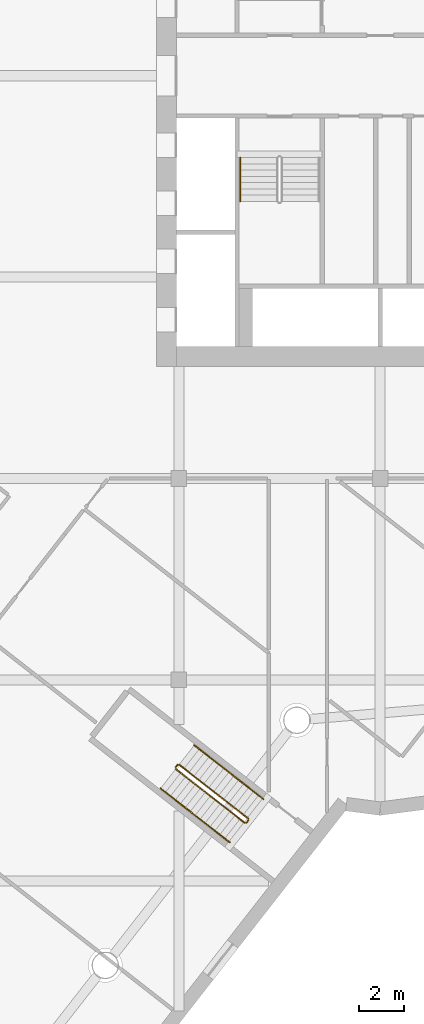
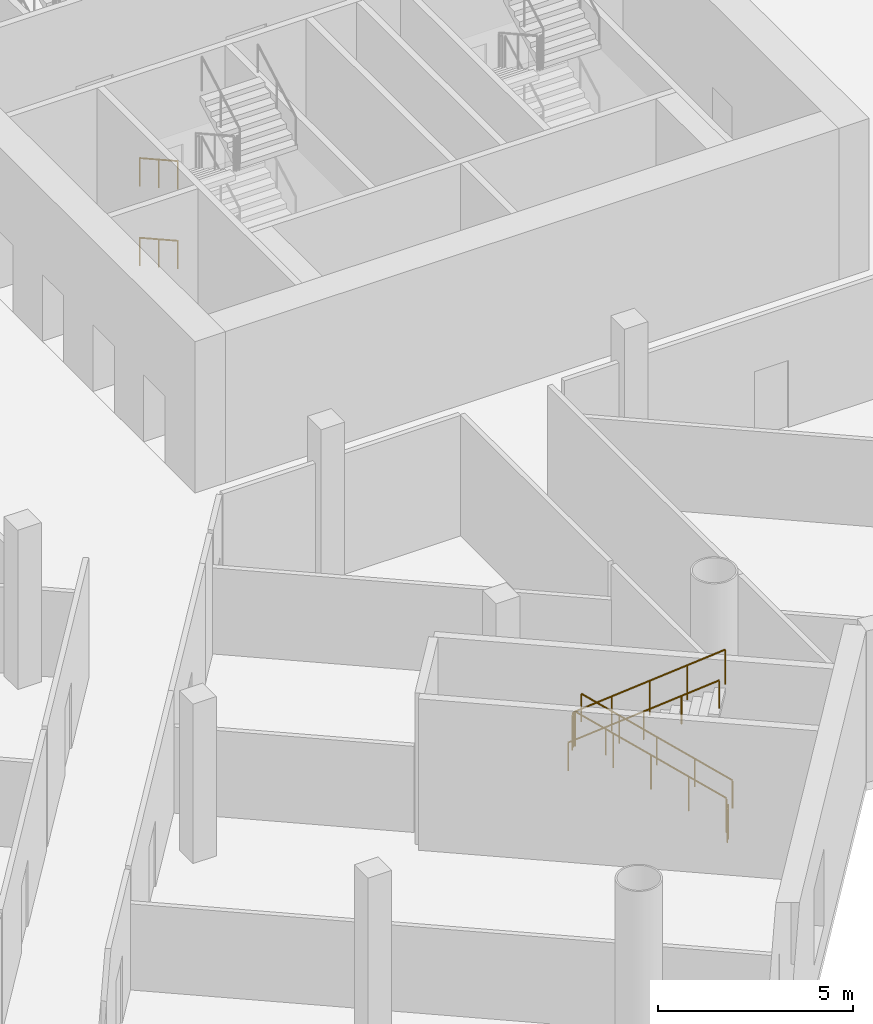
# One storey, part 19 of 22: 10 railings.
"""IFC4 building model written with IfcOpenShell, lengths in metres."""

from ifc_helpers import new_model, si_unit, direction, frame, origin, origin_2d, place, context, subcontext, project, spatial, circle, extrude, material, type_object, element, save


model = new_model("IFC4")

# Units and contexts
model_context = context("Model", 3, precision=1e-05, world=origin(), true_north=direction((0.0, 1.0)))
body_context = subcontext(model_context, "Body", "Model", "MODEL_VIEW")
ifc_project = project(units=[si_unit("LENGTHUNIT", "METRE"), si_unit("AREAUNIT", "SQUARE_METRE"), si_unit("VOLUMEUNIT", "CUBIC_METRE"), si_unit("PLANEANGLEUNIT", "RADIAN"), si_unit("MASSUNIT", "GRAM", prefix="KILO")], contexts=[model_context])

# Site, building, storey
site_placement = place(None, origin())
site = spatial("IfcSite", under=ifc_project, at=site_placement, CompositionType="ELEMENT")
building_placement = place(site_placement, origin())
building = spatial("IfcBuilding", under=site, at=building_placement, Name="Tarsis Ring Headquarters", CompositionType="ELEMENT")
storey_placement = place(building_placement, frame((0.0, 0.0, 25.0)))
storey = spatial("IfcBuildingStorey", under=building, at=storey_placement, Name="L04", CompositionType="ELEMENT", Elevation=25.0)

# Railings
ifc_material_1 = material(Name="Steel S355", Category="steel")
railing_type_1 = type_object("IfcRailingType", Name="Core stair handrail 900", PredefinedType="HANDRAIL", material=ifc_material_1)
for number, where, name in (
    (1, (-6.25, -3.659912109375, 0.15625), "L04 ST3 stair handrail 1"),
    (2, (-6.25, -3.659912109375, 2.65625), "L04 ST3 stair handrail 3"),
):
    element("IfcRailing", number, at=place(storey_placement, frame(where)), inside=storey, type_object=railing_type_1, Name=name, PredefinedType="HANDRAIL", context=body_context, shape_type="SweptSolid", body=[
        extrude(circle(Radius=0.02392578125, at=origin_2d()), frame((0.0, 0.0, 0.8759765625), z_axis=(0.0, -0.873257974695, 0.487258155017), x_axis=(1.0, 0.0, 0.0)), (0.0, 0.0, 1.0), 2.24462890625),
        extrude(circle(Radius=0.02099609375, at=origin_2d()), origin(), (0.0, 0.0, 1.0), 0.851806640625),
        extrude(circle(Radius=0.02099609375, at=origin_2d()), frame((0.0, -0.97998046875, 0.546875)), (0.0, 0.0, 1.0), 0.851806640625),
        extrude(circle(Radius=0.02099609375, at=origin_2d()), frame((0.0, -1.960205078125, 1.09375)), (0.0, 0.0, 1.0), 0.851806640625),
    ])
ifc_material_2 = material(Name="Stainless steel", Category="steel")
railing_type_2 = type_object("IfcRailingType", Name="PO-RL-G", PredefinedType="GUARDRAIL", material=ifc_material_2)
railing_1_placement = place(storey_placement, frame((-5.8955078125, -33.202392578125, 0.166748046875)))
element("IfcRailing", 3, at=railing_1_placement, inside=storey, type_object=railing_type_2, Name="L04 PS2 stair guard 1", PredefinedType="GUARDRAIL", context=body_context, shape_type="SweptSolid", body=[
    extrude(circle(Radius=0.02392578125, at=origin_2d()), frame((0.0, 0.0, 1.076171875), z_axis=(-0.677367837142, 0.528750433038, 0.511464361189), x_axis=(-0.615323716961, -0.788274522832, 0.0)), (0.0, 0.0, 1.0), 4.56201171875),
    extrude(circle(Radius=0.02099609375, at=origin_2d()), origin(), (0.0, 0.0, 1.0), 1.052001953125),
    extrude(circle(Radius=0.02099609375, at=origin_2d()), frame((-0.7724609375, 0.60302734375, 0.583251953125)), (0.0, 0.0, 1.0), 1.052001953125),
    extrude(circle(Radius=0.02099609375, at=origin_2d()), frame((-1.544921875, 1.2060546875, 1.16650390625)), (0.0, 0.0, 1.0), 1.052001953125),
    extrude(circle(Radius=0.02099609375, at=origin_2d()), frame((-2.317626953125, 1.80908203125, 1.75)), (0.0, 0.0, 1.0), 1.052001953125),
    extrude(circle(Radius=0.02099609375, at=origin_2d()), frame((-3.090087890625, 2.412109375, 2.333251953125)), (0.0, 0.0, 1.0), 1.052001953125),
])
railing_2_placement = place(storey_placement, frame((-9.055908203125, -30.799072265625, 2.5)))
element("IfcRailing", 4, at=railing_2_placement, inside=storey, type_object=railing_type_2, Name="L04 PS2 stair guard 2", PredefinedType="GUARDRAIL", context=body_context, shape_type="SweptSolid", body=[
    extrude(circle(Radius=0.02392578125, at=origin_2d()), frame((0.0, 0.0, 1.076171875), z_axis=(-0.615517636689, -0.788123111528, 0.0), x_axis=(0.788123111528, -0.615517636689, 0.0)), (0.0, 0.0, 1.0), 0.14990234375),
    extrude(circle(Radius=0.02099609375, at=origin_2d()), origin(), (0.0, 0.0, 1.0), 1.052001953125),
    extrude(circle(Radius=0.02099609375, at=origin_2d()), frame((-0.09228515625, -0.1181640625, 0.0)), (0.0, 0.0, 1.0), 1.052001953125),
])
railing_3_placement = place(storey_placement, frame((-9.139404296875, -30.987548828125, 2.666748046875)))
element("IfcRailing", 5, at=railing_3_placement, inside=storey, type_object=railing_type_2, Name="L04 PS2 stair guard 3", PredefinedType="GUARDRAIL", context=body_context, shape_type="SweptSolid", body=[
    extrude(circle(Radius=0.02392578125, at=origin_2d()), frame((0.0, 0.0, 1.076171875), z_axis=(0.677387004646, -0.528711876345, 0.511478834116), x_axis=(0.615285015563, 0.788304731448, 0.0)), (0.0, 0.0, 1.0), 4.561767578125),
    extrude(circle(Radius=0.02099609375, at=origin_2d()), origin(), (0.0, 0.0, 1.0), 1.052001953125),
    extrude(circle(Radius=0.02099609375, at=origin_2d()), frame((0.7724609375, -0.60302734375, 0.583251953125)), (0.0, 0.0, 1.0), 1.052001953125),
    extrude(circle(Radius=0.02099609375, at=origin_2d()), frame((1.544921875, -1.2060546875, 1.16650390625)), (0.0, 0.0, 1.0), 1.052001953125),
    extrude(circle(Radius=0.02099609375, at=origin_2d()), frame((2.317626953125, -1.808837890625, 1.75)), (0.0, 0.0, 1.0), 1.052001953125),
    extrude(circle(Radius=0.02099609375, at=origin_2d()), frame((3.090087890625, -2.411865234375, 2.333251953125)), (0.0, 0.0, 1.0), 1.052001953125),
])
railing_4_placement = place(storey_placement, frame((-5.886962890625, -33.272705078125, 0.0)))
element("IfcRailing", 6, at=railing_4_placement, inside=storey, type_object=railing_type_2, Name="L04 PS2 stair guard 4", PredefinedType="GUARDRAIL", context=body_context, shape_type="SweptSolid", body=[
    extrude(circle(Radius=0.02392578125, at=origin_2d()), frame((0.0, 0.0, 1.076171875), z_axis=(-0.615517636689, -0.788123111528, 0.0), x_axis=(0.788123111528, -0.615517636689, 0.0)), (0.0, 0.0, 1.0), 0.14990234375),
    extrude(circle(Radius=0.02099609375, at=origin_2d()), origin(), (0.0, 0.0, 1.0), 1.052001953125),
    extrude(circle(Radius=0.02099609375, at=origin_2d()), frame((-0.09228515625, -0.1181640625, 0.0)), (0.0, 0.0, 1.0), 1.052001953125),
])
railing_type_3 = type_object("IfcRailingType", Name="PO-RL-H", PredefinedType="HANDRAIL", material=ifc_material_2)
railing_5_placement = place(storey_placement, frame((-5.21875, -32.33544921875, 0.166748046875)))
element("IfcRailing", 7, at=railing_5_placement, inside=storey, type_object=railing_type_3, Name="L04 PS2 stair handrail 1", PredefinedType="HANDRAIL", context=body_context, shape_type="SweptSolid", body=[
    extrude(circle(Radius=0.02392578125, at=origin_2d()), frame((0.0, 0.0, 0.8759765625), z_axis=(-0.677357414854, 0.528784075439, 0.511443383087), x_axis=(-0.615353926401, -0.78825094054, 0.0)), (0.0, 0.0, 1.0), 2.28076171875),
    extrude(circle(Radius=0.02099609375, at=origin_2d()), origin(), (0.0, 0.0, 1.0), 0.851806640625),
    extrude(circle(Radius=0.02099609375, at=origin_2d()), frame((-0.7724609375, 0.60302734375, 0.583251953125)), (0.0, 0.0, 1.0), 0.851806640625),
    extrude(circle(Radius=0.02099609375, at=origin_2d()), frame((-1.544921875, 1.2060546875, 1.16650390625)), (0.0, 0.0, 1.0), 0.851806640625),
])
railing_6_placement = place(storey_placement, frame((-6.763671875, -31.12939453125, 1.333251953125)))
element("IfcRailing", 8, at=railing_6_placement, inside=storey, type_object=railing_type_3, Name="L04 PS2 stair handrail 1 bay 2", PredefinedType="HANDRAIL", context=body_context, shape_type="SweptSolid", body=[
    extrude(circle(Radius=0.02392578125, at=origin_2d()), frame((0.0, 0.0, 0.8759765625), z_axis=(-0.677378256966, 0.52871679403, 0.511485335763), x_axis=(-0.615293509583, -0.78829810165, 0.0)), (0.0, 0.0, 1.0), 2.281005859375),
    extrude(circle(Radius=0.02099609375, at=origin_2d()), frame((-0.7724609375, 0.60302734375, 0.58349609375)), (0.0, 0.0, 1.0), 0.851806640625),
    extrude(circle(Radius=0.02099609375, at=origin_2d()), frame((-1.545166015625, 1.2060546875, 1.166748046875)), (0.0, 0.0, 1.0), 0.851806640625),
])
railing_7_placement = place(storey_placement, frame((-9.81640625, -31.8544921875, 2.666748046875)))
element("IfcRailing", 9, at=railing_7_placement, inside=storey, type_object=railing_type_3, Name="L04 PS2 stair handrail 2", PredefinedType="HANDRAIL", context=body_context, shape_type="SweptSolid", body=[
    extrude(circle(Radius=0.02392578125, at=origin_2d()), frame((0.0, 0.0, 0.8759765625), z_axis=(0.677415337913, -0.528745736971, 0.511406301872), x_axis=(0.615293509583, 0.78829810165, 0.0)), (0.0, 0.0, 1.0), 2.281005859375),
    extrude(circle(Radius=0.02099609375, at=origin_2d()), origin(), (0.0, 0.0, 1.0), 0.851806640625),
    extrude(circle(Radius=0.02099609375, at=origin_2d()), frame((0.7724609375, -0.60302734375, 0.583251953125)), (0.0, 0.0, 1.0), 0.851806640625),
    extrude(circle(Radius=0.02099609375, at=origin_2d()), frame((1.545166015625, -1.2060546875, 1.16650390625)), (0.0, 0.0, 1.0), 0.851806640625),
])
railing_8_placement = place(storey_placement, frame((-8.271240234375, -33.060546875, 3.833251953125)))
element("IfcRailing", 10, at=railing_8_placement, inside=storey, type_object=railing_type_3, Name="L04 PS2 stair handrail 2 bay 2", PredefinedType="HANDRAIL", context=body_context, shape_type="SweptSolid", body=[
    extrude(circle(Radius=0.02392578125, at=origin_2d()), frame((0.0, 0.0, 0.8759765625), z_axis=(0.677320331702, -0.528755126202, 0.511522418648), x_axis=(0.615353926401, 0.78825094054, 0.0)), (0.0, 0.0, 1.0), 2.281005859375),
    extrude(circle(Radius=0.02099609375, at=origin_2d()), frame((0.7724609375, -0.60302734375, 0.58349609375)), (0.0, 0.0, 1.0), 0.851806640625),
    extrude(circle(Radius=0.02099609375, at=origin_2d()), frame((1.544921875, -1.2060546875, 1.166748046875)), (0.0, 0.0, 1.0), 0.851806640625),
])

save(model, "model.ifc")
